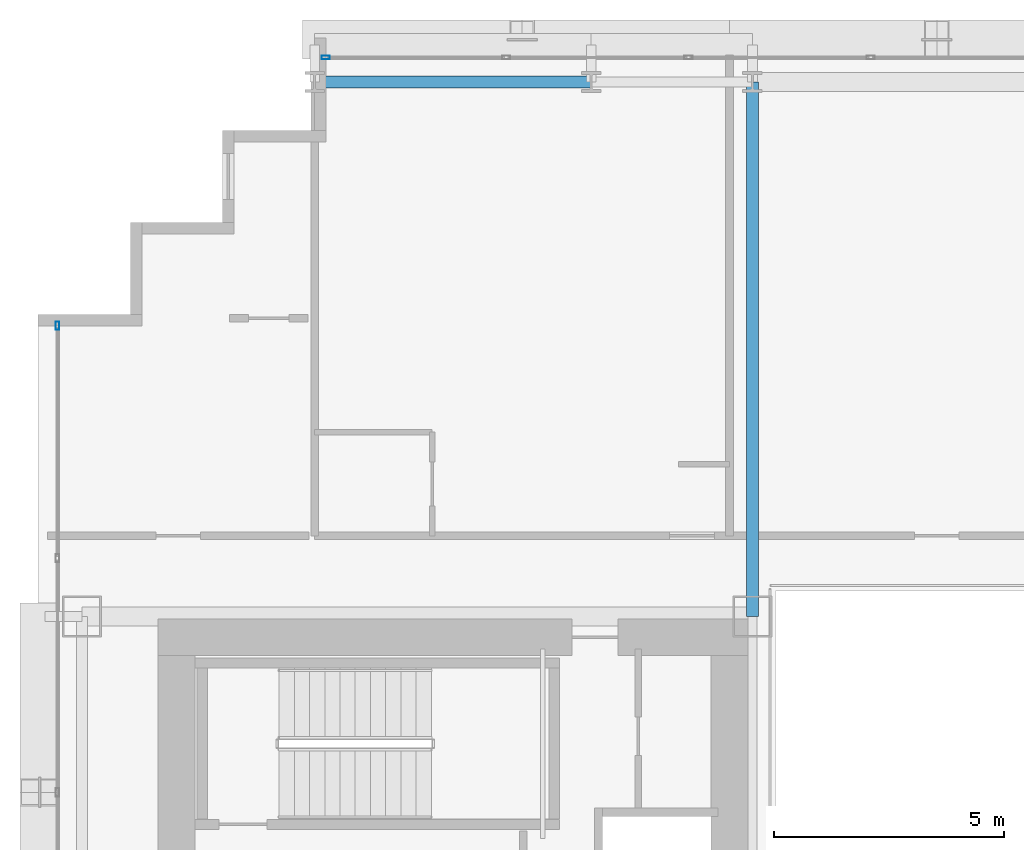
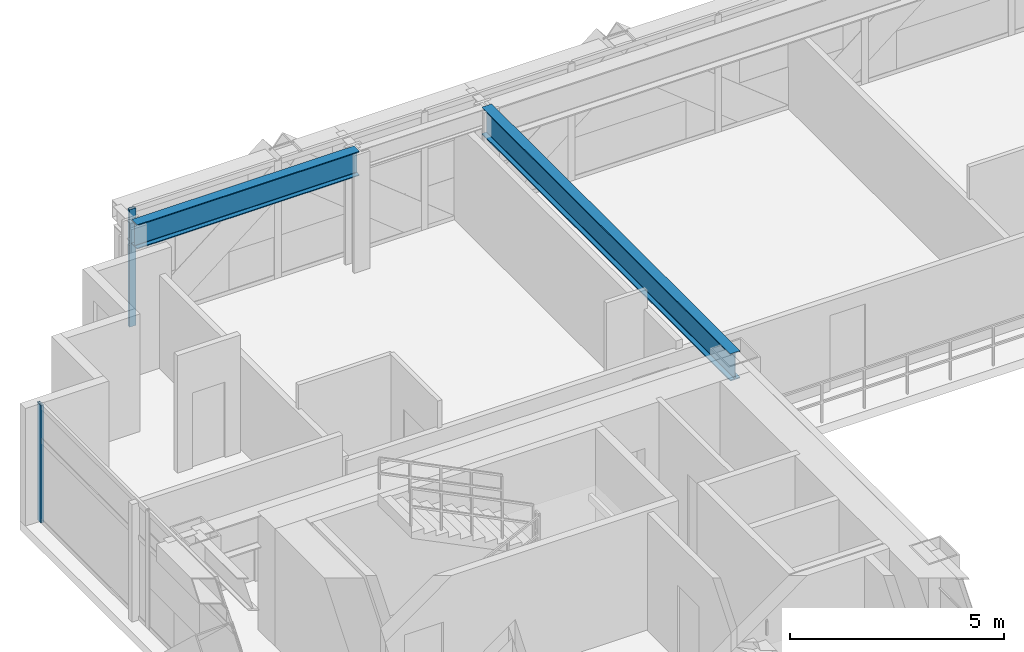
# One storey, part 17 of 35: 2 beams, 2 members, 2 elements without a shape of their own.
"""IFC4 building model written with IfcOpenShell, lengths in metres."""

from ifc_helpers import new_model, si_unit, direction, frame, origin, origin_2d, place, context, subcontext, project, spatial, hollow_rectangle, i_section, extrude, source, transform, mapped, material, layer, layer_set, material_profile, profile_set, type_object, element, aggregate, save


model = new_model("IFC4")

# Units and contexts
model_context = context("Model", 3, precision=1e-05, world=origin(), true_north=direction((0.0, 1.0)))
body_context = subcontext(model_context, "Body", "Model", "MODEL_VIEW")
ifc_project = project(units=[si_unit("LENGTHUNIT", "METRE"), si_unit("AREAUNIT", "SQUARE_METRE"), si_unit("VOLUMEUNIT", "CUBIC_METRE"), si_unit("PLANEANGLEUNIT", "RADIAN"), si_unit("MASSUNIT", "GRAM", prefix="KILO")], contexts=[model_context])

# Site, building, storey
site_placement = place(None, origin())
site = spatial("IfcSite", under=ifc_project, at=site_placement, CompositionType="ELEMENT")
building_placement = place(site_placement, origin())
building = spatial("IfcBuilding", under=site, at=building_placement, Name="Ocotamira Hotel", CompositionType="ELEMENT")
storey_placement = place(building_placement, frame((0.0, 0.0, 78.0)))
storey = spatial("IfcBuildingStorey", under=building, at=storey_placement, Name="L19", CompositionType="ELEMENT", Elevation=78.0)

# Beams
ifc_material_1 = material(Name="Steel ASTM A992 Grade 50", Category="steel")
ifc_material_profile_1 = material_profile(ifc_material_1, i_section(OverallWidth=0.256103515625, OverallDepth=0.693115234375, WebThickness=0.014404296875, FlangeThickness=0.023681640625, FilletRadius=0.01611328125, at=origin_2d()), Name="W27X114")
ifc_profile_set_1 = profile_set([ifc_material_profile_1], Name="Steel ASTM A992 Grade 50")
beam_type_1 = type_object("IfcBeamType", Name="BM-PRIM-W27X114", PredefinedType="BEAM", material=ifc_profile_set_1)
shared_shape_1 = source(origin(), body_context, "Body", "SweptSolid", [
    extrude(i_section(OverallWidth=0.256103515625, OverallDepth=0.693115234375, WebThickness=0.014404296875, FlangeThickness=0.023681640625, FilletRadius=0.01611328125, at=origin_2d()), origin(), (0.0, 0.0, 1.0), 6.0),
])
beam_1_placement = place(storey_placement, frame((14.0, 49.050048828125, 3.00341796875), z_axis=(1.0, 0.0, 0.0), x_axis=(0.0, 1.0, 0.0)))
element("IfcBeam", 1, at=beam_1_placement, inside=storey, type_object=beam_type_1, Name="L19 Girder Y49.05 X14-20", PredefinedType="BEAM", context=body_context, shape_type="MappedRepresentation", body=[
    mapped(shared_shape_1, transform((0.0, 0.0, 0.0), scale=1.0)),
])
ifc_material_profile_2 = material_profile(ifc_material_1, i_section(OverallWidth=0.26611328125, OverallDepth=0.779052734375, WebThickness=0.0166015625, FlangeThickness=0.030029296875, FilletRadius=0.01806640625, at=origin_2d()), Name="W30X148")
ifc_profile_set_2 = profile_set([ifc_material_profile_2], Name="Steel ASTM A992 Grade 50")
beam_type_2 = type_object("IfcBeamType", Name="BM-GIRD-W30X148", PredefinedType="BEAM", material=ifc_profile_set_2)
shared_shape_2 = source(origin(), body_context, "Body", "SweptSolid", [
    extrude(i_section(OverallWidth=0.26611328125, OverallDepth=0.779052734375, WebThickness=0.0166015625, FlangeThickness=0.030029296875, FilletRadius=0.01806640625, at=origin_2d()), origin(), (0.0, 0.0, 1.0), 11.60009765625),
])
beam_2_placement = place(storey_placement, frame((23.5, 37.449951171875, 2.96044921875), z_axis=(0.0, 1.0, 0.0), x_axis=(-1.0, 0.0, 0.0)))
element("IfcBeam", 2, at=beam_2_placement, inside=storey, type_object=beam_type_2, Name="L19 Beam X23.5 Y37.45-49.05", PredefinedType="BEAM", context=body_context, shape_type="MappedRepresentation", body=[
    mapped(shared_shape_2, transform((0.0, 0.0, 0.0), scale=1.0)),
])

# Curtain wall, member
ifc_material_2 = material(Name="Anodised pale-metal aluminium and solar glass", Category="aluminium")
ifc_layer = layer(ifc_material_2, 0.179931640625)
ifc_layer_set = layer_set([ifc_layer], Name="Anodised pale-metal aluminium and solar glass")
curtain_wall_type = type_object("IfcCurtainWallType", Name="CW-SYS2-Z1", PredefinedType="NOTDEFINED", material=ifc_layer_set)
curtain_wall_1_placement = place(storey_placement, origin())
curtain_wall_1 = element("IfcCurtainWall", 3, at=curtain_wall_1_placement, inside=storey, type_object=curtain_wall_type, Name="L19 Curtain Wall CW-2 CW-L19-N", PredefinedType="NOTDEFINED")
ifc_material_3 = material(Name="Anodised pale-metal aluminium 6063-T6", Category="aluminium")
ifc_material_profile_3 = material_profile(ifc_material_3, hollow_rectangle(XDim=0.080078125, YDim=0.179931640625, WallThickness=0.006103515625, at=origin_2d()), Name="HSS180X80X6")
ifc_profile_set_3 = profile_set([ifc_material_profile_3], Name="Anodised pale-metal aluminium 6063-T6")
member_type = type_object("IfcMemberType", Name="CWM-180X75", PredefinedType="MULLION", material=ifc_profile_set_3)
shared_shape_3 = source(origin(), body_context, "Body", "SweptSolid", [
    extrude(hollow_rectangle(XDim=0.080078125, YDim=0.179931640625, WallThickness=0.006103515625, at=origin_2d()), origin(), (0.0, 0.0, 1.0), 3.35009765625),
])
member_1_placement = place(storey_placement, frame((14.239990234375, 49.580078125, 0.0), z_axis=(0.0, 0.0, 1.0), x_axis=(0.0, 1.0, 0.0)))
member_1 = element("IfcMember", 4, at=member_1_placement, type_object=member_type, Name="CW-2 mullion 1", PredefinedType="MULLION", context=body_context, shape_type="MappedRepresentation", body=[
    mapped(shared_shape_3, transform((0.0, 0.0, 0.0), scale=1.0)),
])
aggregate(curtain_wall_1, [member_1])

curtain_wall_2_placement = place(storey_placement, origin())
curtain_wall_2 = element("IfcCurtainWall", 5, at=curtain_wall_2_placement, inside=storey, type_object=curtain_wall_type, Name="L19 Curtain Wall CW-2 CW-L19-W", PredefinedType="NOTDEFINED")
member_2_placement = place(storey_placement, frame((8.419921875, 43.760009765625, 0.0), z_axis=(0.0, 0.0, 1.0), x_axis=(-1.0, 0.0, 0.0)))
member_2 = element("IfcMember", 6, at=member_2_placement, type_object=member_type, Name="CW-2 mullion 8", PredefinedType="MULLION", context=body_context, shape_type="MappedRepresentation", body=[
    mapped(shared_shape_3, transform((0.0, 0.0, 0.0), scale=1.0)),
])
aggregate(curtain_wall_2, [member_2])

save(model, "model.ifc")
